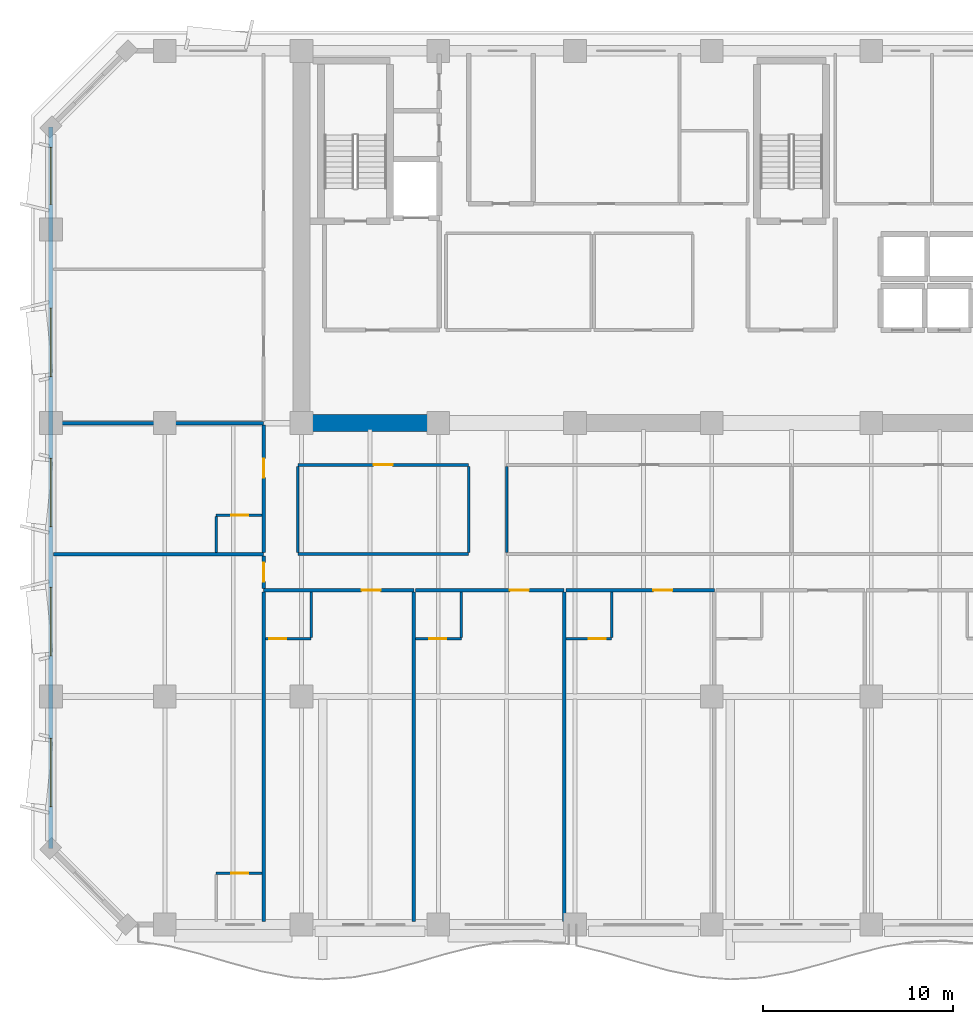
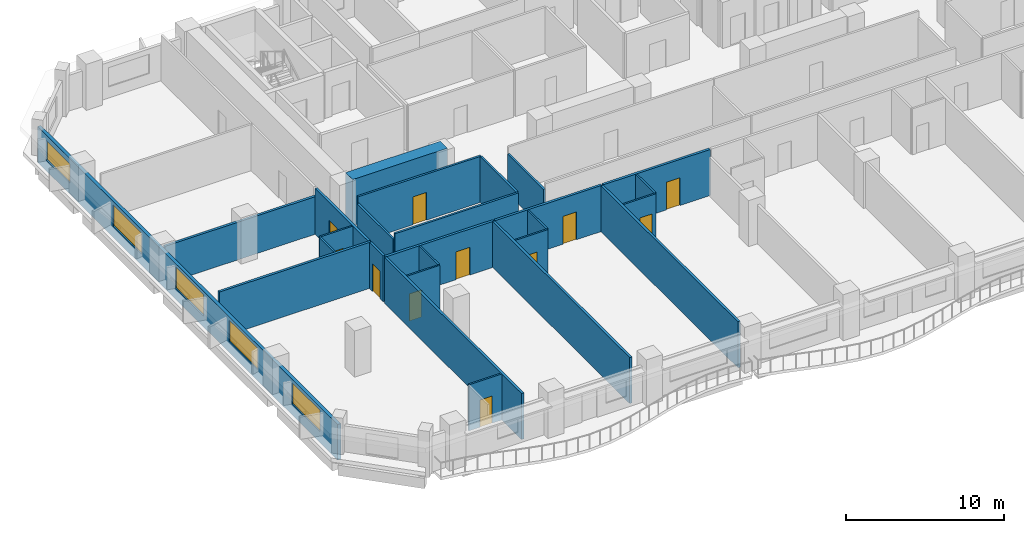
# One storey, part 4 of 15: 26 walls, 11 doors, 5 windows, 16 openings.
"""IFC4 building model written with IfcOpenShell, lengths in metres."""

from ifc_helpers import new_model, si_unit, direction, frame, frame_2d, origin, place, context, subcontext, project, spatial, rectangle, extrude, material, layer, layer_set, type_object, element, fill, save


model = new_model("IFC4")

# Units and contexts
model_context = context("Model", 3, precision=1e-05, world=origin(), true_north=direction((0.0, 1.0)))
body_context = subcontext(model_context, "Body", "Model", "MODEL_VIEW")
ifc_project = project(units=[si_unit("LENGTHUNIT", "METRE"), si_unit("AREAUNIT", "SQUARE_METRE"), si_unit("VOLUMEUNIT", "CUBIC_METRE"), si_unit("PLANEANGLEUNIT", "RADIAN"), si_unit("MASSUNIT", "GRAM", prefix="KILO")], contexts=[model_context])

# Site, building, storey
site_placement = place(None, origin())
site = spatial("IfcSite", under=ifc_project, at=site_placement, CompositionType="ELEMENT")
building_placement = place(site_placement, origin())
building = spatial("IfcBuilding", under=site, at=building_placement, Name="Kaelvorn Grand Hotel", CompositionType="ELEMENT")
storey_placement = place(building_placement, frame((0.0, 0.0, 173.35009765625)))
storey = spatial("IfcBuildingStorey", under=building, at=storey_placement, Name="L42", CompositionType="ELEMENT", Elevation=173.35009765625)

# Wall
ifc_material_1 = material(Name="Concrete C60/75", Category="concrete")
ifc_layer_1 = layer(ifc_material_1, 0.89990234375)
ifc_layer_set_1 = layer_set([ifc_layer_1], Name="Concrete C60/75")
wall_type_1 = type_object("IfcWallType", Name="WL-CORE-900-C60", PredefinedType="SHEAR", material=ifc_layer_set_1)
wall_1_placement = place(storey_placement, frame((16.655029296875, 29.39990234375, 0.0), z_axis=(0.0, 0.0, 1.0), x_axis=(1.0, 0.0, 0.0)))
element("IfcWall", 1, at=wall_1_placement, inside=storey, type_object=wall_type_1, Name="L42 Rear-Core Coupled Shear Pier S1", PredefinedType="SHEAR", context=body_context, shape_type="SweptSolid", body=[
    extrude(rectangle(XDim=6.945068359375, YDim=0.89990234375, at=frame_2d((3.47265625, 0.0))), origin(), (0.0, 0.0, 1.0), 3.559814453125),
])

# Wall, openings, windows
ifc_material_2 = material(Name="Concrete C40/50", Category="concrete")
ifc_layer_2 = layer(ifc_material_2, 0.239990234375)
ifc_layer_set_2 = layer_set([ifc_layer_2], Name="Concrete C40/50")
wall_type_2 = type_object("IfcWallType", Name="WL-EXT-240-C40", PredefinedType="SOLIDWALL", material=ifc_layer_set_2)
wall_2_placement = place(storey_placement, frame((3.0, 45.0, 0.0), z_axis=(0.0, 0.0, 1.0), x_axis=(0.0, -1.0, 0.0)))
wall_2 = element("IfcWall", 2, at=wall_2_placement, inside=storey, type_object=wall_type_2, Name="L42 Exterior Architectural Concrete Wall 07", PredefinedType="SOLIDWALL", context=body_context, shape_type="SweptSolid", body=[
    extrude(rectangle(XDim=38.0, YDim=0.239990234375, at=frame_2d((19.0, 0.0))), origin(), (0.0, 0.0, 1.0), 2.760009765625),
])
opening_1_placement = place(wall_2_placement, frame((32.199951171875, 0.0, 0.85009765625)))
opening_1 = element("IfcOpeningElement", 3, at=opening_1_placement, cuts=wall_2, Name="Opening W3", PredefinedType="OPENING", context=body_context, shape_type="SweptSolid", body=[
    extrude(rectangle(XDim=3.60009765625, YDim=1.64990234375, at=frame_2d((1.800048828125, 0.824951171875))), frame((0.0, 0.1298828125, 0.0), z_axis=(0.0, -1.0, 0.0), x_axis=(1.0, 0.0, 0.0)), (0.0, 0.0, 1.0), 0.260009765625),
])
opening_2_placement = place(wall_2_placement, frame((24.25, 0.0, 0.85009765625)))
opening_2 = element("IfcOpeningElement", 4, at=opening_2_placement, cuts=wall_2, Name="Opening W3", PredefinedType="OPENING", context=body_context, shape_type="SweptSolid", body=[
    extrude(rectangle(XDim=3.60009765625, YDim=1.64990234375, at=frame_2d((1.800048828125, 0.824951171875))), frame((0.0, 0.1298828125, 0.0), z_axis=(0.0, -1.0, 0.0), x_axis=(1.0, 0.0, 0.0)), (0.0, 0.0, 1.0), 0.260009765625),
])
opening_3_placement = place(wall_2_placement, frame((17.449951171875, 0.0, 0.85009765625)))
opening_3 = element("IfcOpeningElement", 5, at=opening_3_placement, cuts=wall_2, Name="Opening W3", PredefinedType="OPENING", context=body_context, shape_type="SweptSolid", body=[
    extrude(rectangle(XDim=3.60009765625, YDim=1.64990234375, at=frame_2d((1.800048828125, 0.824951171875))), frame((0.0, 0.1298828125, 0.0), z_axis=(0.0, -1.0, 0.0), x_axis=(1.0, 0.0, 0.0)), (0.0, 0.0, 1.0), 0.260009765625),
])
opening_4_placement = place(wall_2_placement, frame((9.550048828125, 0.0, 0.85009765625)))
opening_4 = element("IfcOpeningElement", 6, at=opening_4_placement, cuts=wall_2, Name="Opening W3", PredefinedType="OPENING", context=body_context, shape_type="SweptSolid", body=[
    extrude(rectangle(XDim=3.60009765625, YDim=1.64990234375, at=frame_2d((1.800048828125, 0.824951171875))), frame((0.0, 0.1298828125, 0.0), z_axis=(0.0, -1.0, 0.0), x_axis=(1.0, 0.0, 0.0)), (0.0, 0.0, 1.0), 0.260009765625),
])
opening_5_placement = place(wall_2_placement, frame((1.0849609375, 0.0, 0.85009765625)))
opening_5 = element("IfcOpeningElement", 7, at=opening_5_placement, cuts=wall_2, Name="Opening W5", PredefinedType="OPENING", context=body_context, shape_type="SweptSolid", body=[
    extrude(rectangle(XDim=3.0, YDim=1.5, at=frame_2d((1.5, 0.75))), frame((0.0, 0.1298828125, 0.0), z_axis=(0.0, -1.0, 0.0), x_axis=(1.0, 0.0, 0.0)), (0.0, 0.0, 1.0), 0.260009765625),
])
ifc_material_3 = material(Name="Laminated Low-E Glass", Category="glass")
window_type_1 = type_object("IfcWindowType", Name="WIN-NTH-3000x1500", PartitioningType="SINGLE_PANEL", PredefinedType="WINDOW", material=ifc_material_3)
window_1_placement = place(opening_5_placement, origin())
window_1 = element("IfcWindow", 8, at=window_1_placement, inside=storey, type_object=window_type_1, Name="L42 W Wing Tilted-Frame Ribbon Window W05", OverallHeight=1.5, OverallWidth=3.0, PartitioningType="SINGLE_PANEL", PredefinedType="WINDOW", context=body_context, shape_type="SweptSolid", body=[
    extrude(rectangle(XDim=3.0, YDim=1.5, at=frame_2d((1.5, 0.75))), frame((0.0, 0.030029296875, 0.0), z_axis=(0.0, -1.0, 0.0), x_axis=(1.0, 0.0, 0.0)), (0.0, 0.0, 1.0), 0.06005859375),
])
fill(opening_5, window_1)
window_type_2 = type_object("IfcWindowType", Name="WIN-RIB-3600x1750", PartitioningType="SINGLE_PANEL", PredefinedType="WINDOW", material=ifc_material_3)
window_2_placement = place(opening_1_placement, origin())
window_2 = element("IfcWindow", 9, at=window_2_placement, inside=storey, type_object=window_type_2, Name="L42 W Wing Tilted-Frame Ribbon Window W01", OverallHeight=1.64990234375, OverallWidth=3.60009765625, PartitioningType="SINGLE_PANEL", PredefinedType="WINDOW", context=body_context, shape_type="SweptSolid", body=[
    extrude(rectangle(XDim=3.60009765625, YDim=1.64990234375, at=frame_2d((1.800048828125, 0.824951171875))), frame((0.0, 0.030029296875, 0.0), z_axis=(0.0, -1.0, 0.0), x_axis=(1.0, 0.0, 0.0)), (0.0, 0.0, 1.0), 0.06005859375),
])
fill(opening_1, window_2)
window_3_placement = place(opening_2_placement, origin())
window_3 = element("IfcWindow", 10, at=window_3_placement, inside=storey, type_object=window_type_2, Name="L42 W Wing Tilted-Frame Ribbon Window W02", OverallHeight=1.64990234375, OverallWidth=3.60009765625, PartitioningType="SINGLE_PANEL", PredefinedType="WINDOW", context=body_context, shape_type="SweptSolid", body=[
    extrude(rectangle(XDim=3.60009765625, YDim=1.64990234375, at=frame_2d((1.800048828125, 0.824951171875))), frame((0.0, 0.030029296875, 0.0), z_axis=(0.0, -1.0, 0.0), x_axis=(1.0, 0.0, 0.0)), (0.0, 0.0, 1.0), 0.06005859375),
])
fill(opening_2, window_3)
window_4_placement = place(opening_3_placement, origin())
window_4 = element("IfcWindow", 11, at=window_4_placement, inside=storey, type_object=window_type_2, Name="L42 W Wing Tilted-Frame Ribbon Window W03", OverallHeight=1.64990234375, OverallWidth=3.60009765625, PartitioningType="SINGLE_PANEL", PredefinedType="WINDOW", context=body_context, shape_type="SweptSolid", body=[
    extrude(rectangle(XDim=3.60009765625, YDim=1.64990234375, at=frame_2d((1.800048828125, 0.824951171875))), frame((0.0, 0.030029296875, 0.0), z_axis=(0.0, -1.0, 0.0), x_axis=(1.0, 0.0, 0.0)), (0.0, 0.0, 1.0), 0.06005859375),
])
fill(opening_3, window_4)
window_5_placement = place(opening_4_placement, origin())
window_5 = element("IfcWindow", 12, at=window_5_placement, inside=storey, type_object=window_type_2, Name="L42 W Wing Tilted-Frame Ribbon Window W04", OverallHeight=1.64990234375, OverallWidth=3.60009765625, PartitioningType="SINGLE_PANEL", PredefinedType="WINDOW", context=body_context, shape_type="SweptSolid", body=[
    extrude(rectangle(XDim=3.60009765625, YDim=1.64990234375, at=frame_2d((1.800048828125, 0.824951171875))), frame((0.0, 0.030029296875, 0.0), z_axis=(0.0, -1.0, 0.0), x_axis=(1.0, 0.0, 0.0)), (0.0, 0.0, 1.0), 0.06005859375),
])
fill(opening_4, window_5)

# Wall, opening, door
ifc_material_4 = material(Name="Moisture-Resistant Tile & Stud Board")
ifc_layer_3 = layer(ifc_material_4, 0.125)
ifc_layer_set_3 = layer_set([ifc_layer_3], Name="Moisture-Resistant Tile & Stud Board")
wall_type_3 = type_object("IfcWallType", Name="WL-PART-125-WET", PredefinedType="PARTITIONING", material=ifc_layer_set_3)
wall_3_placement = place(storey_placement, frame((14.294921875, 18.050048828125, 0.0), z_axis=(0.0, 0.0, 1.0), x_axis=(1.0, 0.0, 0.0)))
wall_3 = element("IfcWall", 13, at=wall_3_placement, inside=storey, type_object=wall_type_3, Name="L42 En-suite Bathroom L42-01 S Partition", PredefinedType="PARTITIONING", context=body_context, shape_type="SweptSolid", body=[
    extrude(rectangle(XDim=2.405029296875, YDim=0.125, at=frame_2d((1.20263671875, 0.0))), origin(), (0.0, 0.0, 1.0), 3.559814453125),
])
opening_6_placement = place(wall_3_placement, frame((0.205078125, 0.0, 0.0)))
opening_6 = element("IfcOpeningElement", 14, at=opening_6_placement, cuts=wall_3, Name="Opening DI4", PredefinedType="OPENING", context=body_context, shape_type="SweptSolid", body=[
    extrude(rectangle(XDim=0.89990234375, YDim=2.10009765625, at=frame_2d((0.449951171875, 1.050048828125))), frame((0.0, 0.072509765625, 0.0), z_axis=(0.0, -1.0, 0.0), x_axis=(1.0, 0.0, 0.0)), (0.0, 0.0, 1.0), 0.14501953125),
])
ifc_material_5 = material(Name="Timber Veneer Leaf", Category="wood")
door_type_1 = type_object("IfcDoorType", Name="DR-INT-BATH-900x2100", OperationType="NOTDEFINED", PredefinedType="DOOR", material=ifc_material_5)
door_1_placement = place(opening_6_placement, origin())
door_1 = element("IfcDoor", 15, at=door_1_placement, inside=storey, type_object=door_type_1, Name="L42 En-suite Bathroom L42-01 Door", OperationType="SINGLE_SWING_RIGHT", OverallHeight=2.10009765625, OverallWidth=0.89990234375, PredefinedType="DOOR", context=body_context, shape_type="SweptSolid", body=[
    extrude(rectangle(XDim=0.89990234375, YDim=2.10009765625, at=frame_2d((0.449951171875, 1.050048828125))), frame((0.0, 0.02490234375, 0.0), z_axis=(0.0, -1.0, 0.0), x_axis=(1.0, 0.0, 0.0)), (0.0, 0.0, 1.0), 0.050048828125),
])
fill(opening_6, door_1)

# Wall
wall_4_placement = place(storey_placement, frame((16.699951171875, 18.117431640625, 0.0), z_axis=(0.0, 0.0, 1.0), x_axis=(0.0, 1.0, 0.0)))
element("IfcWall", 16, at=wall_4_placement, inside=storey, type_object=wall_type_3, Name="L42 En-suite Bathroom L42-01 E Partition", PredefinedType="PARTITIONING", context=body_context, shape_type="SweptSolid", body=[
    extrude(rectangle(XDim=2.387451171875, YDim=0.125, at=frame_2d((1.19384765625, 0.0))), origin(), (0.0, 0.0, 1.0), 3.559814453125),
])

# Wall, opening, door
wall_5_placement = place(storey_placement, frame((22.207275390625, 18.050048828125, 0.0), z_axis=(0.0, 0.0, 1.0), x_axis=(1.0, 0.0, 0.0)))
wall_5 = element("IfcWall", 17, at=wall_5_placement, inside=storey, type_object=wall_type_3, Name="L42 En-suite Bathroom L42-02 S Partition", PredefinedType="PARTITIONING", context=body_context, shape_type="SweptSolid", body=[
    extrude(rectangle(XDim=2.405029296875, YDim=0.125, at=frame_2d((1.20263671875, 0.0))), origin(), (0.0, 0.0, 1.0), 3.559814453125),
])
opening_7_placement = place(wall_5_placement, frame((0.705078125, 0.0, 0.0)))
opening_7 = element("IfcOpeningElement", 18, at=opening_7_placement, cuts=wall_5, Name="Opening DI4", PredefinedType="OPENING", context=body_context, shape_type="SweptSolid", body=[
    extrude(rectangle(XDim=0.89990234375, YDim=2.10009765625, at=frame_2d((0.449951171875, 1.050048828125))), frame((0.0, 0.072509765625, 0.0), z_axis=(0.0, -1.0, 0.0), x_axis=(1.0, 0.0, 0.0)), (0.0, 0.0, 1.0), 0.14501953125),
])
door_2_placement = place(opening_7_placement, origin())
door_2 = element("IfcDoor", 19, at=door_2_placement, inside=storey, type_object=door_type_1, Name="L42 En-suite Bathroom L42-02 Door", OperationType="SINGLE_SWING_RIGHT", OverallHeight=2.10009765625, OverallWidth=0.89990234375, PredefinedType="DOOR", context=body_context, shape_type="SweptSolid", body=[
    extrude(rectangle(XDim=0.89990234375, YDim=2.10009765625, at=frame_2d((0.449951171875, 1.050048828125))), frame((0.0, 0.02490234375, 0.0), z_axis=(0.0, -1.0, 0.0), x_axis=(1.0, 0.0, 0.0)), (0.0, 0.0, 1.0), 0.050048828125),
])
fill(opening_7, door_2)

# Wall
wall_6_placement = place(storey_placement, frame((24.6123046875, 18.117431640625, 0.0), z_axis=(0.0, 0.0, 1.0), x_axis=(0.0, 1.0, 0.0)))
element("IfcWall", 20, at=wall_6_placement, inside=storey, type_object=wall_type_3, Name="L42 En-suite Bathroom L42-02 E Partition", PredefinedType="PARTITIONING", context=body_context, shape_type="SweptSolid", body=[
    extrude(rectangle(XDim=2.387451171875, YDim=0.125, at=frame_2d((1.19384765625, 0.0))), origin(), (0.0, 0.0, 1.0), 3.559814453125),
])

# Wall, opening, door
wall_7_placement = place(storey_placement, frame((30.11962890625, 18.050048828125, 0.0), z_axis=(0.0, 0.0, 1.0), x_axis=(1.0, 0.0, 0.0)))
wall_7 = element("IfcWall", 21, at=wall_7_placement, inside=storey, type_object=wall_type_3, Name="L42 En-suite Bathroom L42-03 S Partition", PredefinedType="PARTITIONING", context=body_context, shape_type="SweptSolid", body=[
    extrude(rectangle(XDim=2.405029296875, YDim=0.125, at=frame_2d((1.20263671875, 0.0))), origin(), (0.0, 0.0, 1.0), 3.559814453125),
])
opening_8_placement = place(wall_7_placement, frame((1.205078125, 0.0, 0.0)))
opening_8 = element("IfcOpeningElement", 22, at=opening_8_placement, cuts=wall_7, Name="Opening DI4", PredefinedType="OPENING", context=body_context, shape_type="SweptSolid", body=[
    extrude(rectangle(XDim=0.89990234375, YDim=2.10009765625, at=frame_2d((0.449951171875, 1.050048828125))), frame((0.0, 0.072509765625, 0.0), z_axis=(0.0, -1.0, 0.0), x_axis=(1.0, 0.0, 0.0)), (0.0, 0.0, 1.0), 0.14501953125),
])
door_3_placement = place(opening_8_placement, origin())
door_3 = element("IfcDoor", 23, at=door_3_placement, inside=storey, type_object=door_type_1, Name="L42 En-suite Bathroom L42-03 Door", OperationType="SINGLE_SWING_RIGHT", OverallHeight=2.10009765625, OverallWidth=0.89990234375, PredefinedType="DOOR", context=body_context, shape_type="SweptSolid", body=[
    extrude(rectangle(XDim=0.89990234375, YDim=2.10009765625, at=frame_2d((0.449951171875, 1.050048828125))), frame((0.0, 0.02490234375, 0.0), z_axis=(0.0, -1.0, 0.0), x_axis=(1.0, 0.0, 0.0)), (0.0, 0.0, 1.0), 0.050048828125),
])
fill(opening_8, door_3)

# Wall
wall_8_placement = place(storey_placement, frame((32.524658203125, 18.117431640625, 0.0), z_axis=(0.0, 0.0, 1.0), x_axis=(0.0, 1.0, 0.0)))
element("IfcWall", 24, at=wall_8_placement, inside=storey, type_object=wall_type_3, Name="L42 En-suite Bathroom L42-03 E Partition", PredefinedType="PARTITIONING", context=body_context, shape_type="SweptSolid", body=[
    extrude(rectangle(XDim=2.387451171875, YDim=0.125, at=frame_2d((1.19384765625, 0.0))), origin(), (0.0, 0.0, 1.0), 3.559814453125),
])

# Wall, opening, door
wall_9_placement = place(storey_placement, frame((11.699951171875, 5.699951171875, 0.0), z_axis=(0.0, 0.0, 1.0), x_axis=(1.0, 0.0, 0.0)))
wall_9 = element("IfcWall", 25, at=wall_9_placement, inside=storey, type_object=wall_type_3, Name="L42 En-suite Bathroom L42-08 N Partition", PredefinedType="PARTITIONING", context=body_context, shape_type="SweptSolid", body=[
    extrude(rectangle(XDim=2.405029296875, YDim=0.125, at=frame_2d((1.20263671875, 0.0))), origin(), (0.0, 0.0, 1.0), 3.559814453125),
])
opening_9_placement = place(wall_9_placement, frame((0.800048828125, 0.0, 0.0)))
opening_9 = element("IfcOpeningElement", 26, at=opening_9_placement, cuts=wall_9, Name="Opening DI4", PredefinedType="OPENING", context=body_context, shape_type="SweptSolid", body=[
    extrude(rectangle(XDim=0.89990234375, YDim=2.10009765625, at=frame_2d((0.449951171875, 1.050048828125))), frame((0.0, 0.072509765625, 0.0), z_axis=(0.0, -1.0, 0.0), x_axis=(1.0, 0.0, 0.0)), (0.0, 0.0, 1.0), 0.14501953125),
])
door_4_placement = place(opening_9_placement, origin())
door_4 = element("IfcDoor", 27, at=door_4_placement, inside=storey, type_object=door_type_1, Name="L42 En-suite Bathroom L42-08 Door", OperationType="SINGLE_SWING_RIGHT", OverallHeight=2.10009765625, OverallWidth=0.89990234375, PredefinedType="DOOR", context=body_context, shape_type="SweptSolid", body=[
    extrude(rectangle(XDim=0.89990234375, YDim=2.10009765625, at=frame_2d((0.449951171875, 1.050048828125))), frame((0.0, 0.02490234375, 0.0), z_axis=(0.0, -1.0, 0.0), x_axis=(1.0, 0.0, 0.0)), (0.0, 0.0, 1.0), 0.050048828125),
])
fill(opening_9, door_4)

wall_10_placement = place(storey_placement, frame((11.699951171875, 24.550048828125, 0.0), z_axis=(0.0, 0.0, 1.0), x_axis=(1.0, 0.0, 0.0)))
wall_10 = element("IfcWall", 28, at=wall_10_placement, inside=storey, type_object=wall_type_3, Name="L42 En-suite Bathroom L42-09 N Partition", PredefinedType="PARTITIONING", context=body_context, shape_type="SweptSolid", body=[
    extrude(rectangle(XDim=2.405029296875, YDim=0.125, at=frame_2d((1.20263671875, 0.0))), origin(), (0.0, 0.0, 1.0), 3.559814453125),
])
opening_10_placement = place(wall_10_placement, frame((0.800048828125, 0.0, 0.0)))
opening_10 = element("IfcOpeningElement", 29, at=opening_10_placement, cuts=wall_10, Name="Opening DI4", PredefinedType="OPENING", context=body_context, shape_type="SweptSolid", body=[
    extrude(rectangle(XDim=0.89990234375, YDim=2.10009765625, at=frame_2d((0.449951171875, 1.050048828125))), frame((0.0, 0.072509765625, 0.0), z_axis=(0.0, -1.0, 0.0), x_axis=(1.0, 0.0, 0.0)), (0.0, 0.0, 1.0), 0.14501953125),
])
door_5_placement = place(opening_10_placement, origin())
door_5 = element("IfcDoor", 30, at=door_5_placement, inside=storey, type_object=door_type_1, Name="L42 En-suite Bathroom L42-09 Door", OperationType="SINGLE_SWING_RIGHT", OverallHeight=2.10009765625, OverallWidth=0.89990234375, PredefinedType="DOOR", context=body_context, shape_type="SweptSolid", body=[
    extrude(rectangle(XDim=0.89990234375, YDim=2.10009765625, at=frame_2d((0.449951171875, 1.050048828125))), frame((0.0, 0.02490234375, 0.0), z_axis=(0.0, -1.0, 0.0), x_axis=(1.0, 0.0, 0.0)), (0.0, 0.0, 1.0), 0.050048828125),
])
fill(opening_10, door_5)

# Walls
wall_11_placement = place(storey_placement, frame((11.699951171875, 22.594970703125, 0.0), z_axis=(0.0, 0.0, 1.0), x_axis=(0.0, 1.0, 0.0)))
element("IfcWall", 31, at=wall_11_placement, inside=storey, type_object=wall_type_3, Name="L42 En-suite Bathroom L42-09 W Partition", PredefinedType="PARTITIONING", context=body_context, shape_type="SweptSolid", body=[
    extrude(rectangle(XDim=1.887451171875, YDim=0.125, at=frame_2d((0.94384765625, 0.0))), origin(), (0.0, 0.0, 1.0), 3.559814453125),
])
ifc_material_6 = material(Name="Acoustic Gypsum & Stud Partition")
ifc_layer_4 = layer(ifc_material_6, 0.14990234375)
ifc_layer_set_4 = layer_set([ifc_layer_4], Name="Acoustic Gypsum & Stud Partition")
wall_type_4 = type_object("IfcWallType", Name="WL-PART-150-EI60", PredefinedType="PARTITIONING", material=ifc_layer_set_4)
wall_12_placement = place(storey_placement, frame((16.0, 22.5, 0.0), z_axis=(0.0, 0.0, 1.0), x_axis=(1.0, 0.0, 0.0)))
element("IfcWall", 32, at=wall_12_placement, inside=storey, type_object=wall_type_4, Name="L42 Private Cinema Lounge S Partition", PredefinedType="PARTITIONING", context=body_context, shape_type="SweptSolid", body=[
    extrude(rectangle(XDim=9.0, YDim=0.14990234375, at=frame_2d((4.5, 0.0))), origin(), (0.0, 0.0, 1.0), 3.559814453125),
])

# Wall, opening, door
wall_13_placement = place(storey_placement, frame((16.0, 27.199951171875, 0.0), z_axis=(0.0, 0.0, 1.0), x_axis=(1.0, 0.0, 0.0)))
wall_13 = element("IfcWall", 33, at=wall_13_placement, inside=storey, type_object=wall_type_4, Name="L42 Private Cinema Lounge N Partition", PredefinedType="PARTITIONING", context=body_context, shape_type="SweptSolid", body=[
    extrude(rectangle(XDim=9.0, YDim=0.14990234375, at=frame_2d((4.5, 0.0))), origin(), (0.0, 0.0, 1.0), 3.559814453125),
])
opening_11_placement = place(wall_13_placement, frame((4.0, 0.0, 0.0)))
opening_11 = element("IfcOpeningElement", 34, at=opening_11_placement, cuts=wall_13, Name="Opening DI3", PredefinedType="OPENING", context=body_context, shape_type="SweptSolid", body=[
    extrude(rectangle(XDim=1.0, YDim=2.14990234375, at=frame_2d((0.5, 1.074951171875))), frame((0.0, 0.0849609375, 0.0), z_axis=(0.0, -1.0, 0.0), x_axis=(1.0, 0.0, 0.0)), (0.0, 0.0, 1.0), 0.169921875),
])
ifc_material_7 = material(Name="Timber Veneer Fire Leaf", Category="wood")
door_type_2 = type_object("IfcDoorType", Name="DR-INT-GUEST-1000x2150", OperationType="NOTDEFINED", PredefinedType="DOOR", material=ifc_material_7)
door_6_placement = place(opening_11_placement, origin())
door_6 = element("IfcDoor", 35, at=door_6_placement, inside=storey, type_object=door_type_2, Name="L42 Private Cinema Lounge Door", OperationType="SINGLE_SWING_LEFT", OverallHeight=2.14990234375, OverallWidth=1.0, PredefinedType="DOOR", context=body_context, shape_type="SweptSolid", body=[
    extrude(rectangle(XDim=1.0, YDim=2.14990234375, at=frame_2d((0.5, 1.074951171875))), frame((0.0, 0.02490234375, 0.0), z_axis=(0.0, -1.0, 0.0), x_axis=(1.0, 0.0, 0.0)), (0.0, 0.0, 1.0), 0.050048828125),
])
fill(opening_11, door_6)

# Walls
wall_14_placement = place(storey_placement, frame((16.0, 22.580078125, 0.0), z_axis=(0.0, 0.0, 1.0), x_axis=(0.0, 1.0, 0.0)))
element("IfcWall", 36, at=wall_14_placement, inside=storey, type_object=wall_type_4, Name="L42 Private Cinema Lounge W Partition", PredefinedType="PARTITIONING", context=body_context, shape_type="SweptSolid", body=[
    extrude(rectangle(XDim=4.5400390625, YDim=0.14990234375, at=frame_2d((2.27001953125, 0.0))), origin(), (0.0, 0.0, 1.0), 3.059814453125),
])
wall_15_placement = place(storey_placement, frame((25.0, 22.580078125, 0.0), z_axis=(0.0, 0.0, 1.0), x_axis=(0.0, 1.0, 0.0)))
element("IfcWall", 37, at=wall_15_placement, inside=storey, type_object=wall_type_4, Name="L42 Private Cinema Lounge E Partition", PredefinedType="PARTITIONING", context=body_context, shape_type="SweptSolid", body=[
    extrude(rectangle(XDim=4.5400390625, YDim=0.14990234375, at=frame_2d((2.27001953125, 0.0))), origin(), (0.0, 0.0, 1.0), 3.559814453125),
])
wall_16_placement = place(storey_placement, frame((27.0, 22.580078125, 0.0), z_axis=(0.0, 0.0, 1.0), x_axis=(0.0, 1.0, 0.0)))
element("IfcWall", 38, at=wall_16_placement, inside=storey, type_object=wall_type_4, Name="L42 Sommelier Wine Bar W Partition", PredefinedType="PARTITIONING", context=body_context, shape_type="SweptSolid", body=[
    extrude(rectangle(XDim=4.5400390625, YDim=0.14990234375, at=frame_2d((2.27001953125, 0.0))), origin(), (0.0, 0.0, 1.0), 3.059814453125),
])

# Wall, opening, door
ifc_layer_5 = layer(ifc_material_6, 0.179931640625)
ifc_layer_set_5 = layer_set([ifc_layer_5], Name="Acoustic Gypsum & Stud Partition")
wall_type_5 = type_object("IfcWallType", Name="WL-PART-180-EI60", PredefinedType="PARTITIONING", material=ifc_layer_set_5)
wall_17_placement = place(storey_placement, frame((14.199951171875, 20.60009765625, 0.0), z_axis=(0.0, 0.0, 1.0), x_axis=(1.0, 0.0, 0.0)))
wall_17 = element("IfcWall", 39, at=wall_17_placement, inside=storey, type_object=wall_type_5, Name="L42 Mid-Rise Signature Suite L42-01 N Partition", PredefinedType="PARTITIONING", context=body_context, shape_type="SweptSolid", body=[
    extrude(rectangle(XDim=7.912353515625, YDim=0.179931640625, at=frame_2d((3.9560546875, 0.0))), origin(), (0.0, 0.0, 1.0), 3.559814453125),
])
opening_12_placement = place(wall_17_placement, frame((5.156005859375, 0.0, 0.0)))
opening_12 = element("IfcOpeningElement", 40, at=opening_12_placement, cuts=wall_17, Name="Opening DI3", PredefinedType="OPENING", context=body_context, shape_type="SweptSolid", body=[
    extrude(rectangle(XDim=1.0, YDim=2.14990234375, at=frame_2d((0.5, 1.074951171875))), frame((0.0, 0.10009765625, 0.0), z_axis=(0.0, -1.0, 0.0), x_axis=(1.0, 0.0, 0.0)), (0.0, 0.0, 1.0), 0.199951171875),
])
door_7_placement = place(opening_12_placement, origin())
door_7 = element("IfcDoor", 41, at=door_7_placement, inside=storey, type_object=door_type_2, Name="L42 Mid-Rise Signature Suite L42-01 Door", OperationType="SINGLE_SWING_LEFT", OverallHeight=2.14990234375, OverallWidth=1.0, PredefinedType="DOOR", context=body_context, shape_type="SweptSolid", body=[
    extrude(rectangle(XDim=1.0, YDim=2.14990234375, at=frame_2d((0.5, 1.074951171875))), frame((0.0, 0.02490234375, 0.0), z_axis=(0.0, -1.0, 0.0), x_axis=(1.0, 0.0, 0.0)), (0.0, 0.0, 1.0), 0.050048828125),
])
fill(opening_12, door_7)

# Walls
for number, where, z_axis, x_axis, name in (
    (42, (14.199951171875, 3.14990234375, 0.0), (0.0, 0.0, 1.0), (0.0, 1.0, 0.0), "L42 Mid-Rise Signature Suite L42-01 W Partition"),
    (43, (22.1123046875, 3.14990234375, 0.0), (0.0, 0.0, 1.0), (0.0, 1.0, 0.0), "L42 Mid-Rise Signature Suite L42-01 E Partition"),
):
    element("IfcWall", number, at=place(storey_placement, frame(where, z_axis=z_axis, x_axis=x_axis)), inside=storey, type_object=wall_type_5, Name=name, PredefinedType="PARTITIONING", context=body_context, shape_type="SweptSolid", body=[
        extrude(rectangle(XDim=17.35498046875, YDim=0.179931640625, at=frame_2d((8.677490234375, 0.0))), origin(), (0.0, 0.0, 1.0), 3.559814453125),
    ])

# Wall, opening, door
wall_18_placement = place(storey_placement, frame((22.207275390625, 20.60009765625, 0.0), z_axis=(0.0, 0.0, 1.0), x_axis=(1.0, 0.0, 0.0)))
wall_18 = element("IfcWall", 44, at=wall_18_placement, inside=storey, type_object=wall_type_5, Name="L42 Mid-Rise Signature Suite L42-02 N Partition", PredefinedType="PARTITIONING", context=body_context, shape_type="SweptSolid", body=[
    extrude(rectangle(XDim=7.8173828125, YDim=0.179931640625, at=frame_2d((3.90869140625, 0.0))), origin(), (0.0, 0.0, 1.0), 3.559814453125),
])
opening_13_placement = place(wall_18_placement, frame((4.958984375, 0.0, 0.0)))
opening_13 = element("IfcOpeningElement", 45, at=opening_13_placement, cuts=wall_18, Name="Opening DI3", PredefinedType="OPENING", context=body_context, shape_type="SweptSolid", body=[
    extrude(rectangle(XDim=1.0, YDim=2.14990234375, at=frame_2d((0.5, 1.074951171875))), frame((0.0, 0.10009765625, 0.0), z_axis=(0.0, -1.0, 0.0), x_axis=(1.0, 0.0, 0.0)), (0.0, 0.0, 1.0), 0.199951171875),
])
door_8_placement = place(opening_13_placement, origin())
door_8 = element("IfcDoor", 46, at=door_8_placement, inside=storey, type_object=door_type_2, Name="L42 Mid-Rise Signature Suite L42-02 Door", OperationType="SINGLE_SWING_LEFT", OverallHeight=2.14990234375, OverallWidth=1.0, PredefinedType="DOOR", context=body_context, shape_type="SweptSolid", body=[
    extrude(rectangle(XDim=1.0, YDim=2.14990234375, at=frame_2d((0.5, 1.074951171875))), frame((0.0, 0.02490234375, 0.0), z_axis=(0.0, -1.0, 0.0), x_axis=(1.0, 0.0, 0.0)), (0.0, 0.0, 1.0), 0.050048828125),
])
fill(opening_13, door_8)

# Wall
wall_19_placement = place(storey_placement, frame((30.024658203125, 3.14990234375, 0.0), z_axis=(0.0, 0.0, 1.0), x_axis=(0.0, 1.0, 0.0)))
element("IfcWall", 47, at=wall_19_placement, inside=storey, type_object=wall_type_5, Name="L42 Mid-Rise Signature Suite L42-02 E Partition", PredefinedType="PARTITIONING", context=body_context, shape_type="SweptSolid", body=[
    extrude(rectangle(XDim=17.35498046875, YDim=0.179931640625, at=frame_2d((8.677490234375, 0.0))), origin(), (0.0, 0.0, 1.0), 3.559814453125),
])

# Wall, opening, door
wall_20_placement = place(storey_placement, frame((30.11962890625, 20.60009765625, 0.0), z_axis=(0.0, 0.0, 1.0), x_axis=(1.0, 0.0, 0.0)))
wall_20 = element("IfcWall", 48, at=wall_20_placement, inside=storey, type_object=wall_type_5, Name="L42 Mid-Rise Signature Suite L42-03 N Partition", PredefinedType="PARTITIONING", context=body_context, shape_type="SweptSolid", body=[
    extrude(rectangle(XDim=7.8173828125, YDim=0.179931640625, at=frame_2d((3.90869140625, 0.0))), origin(), (0.0, 0.0, 1.0), 3.559814453125),
])
opening_14_placement = place(wall_20_placement, frame((4.602783203125, 0.0, 0.0)))
opening_14 = element("IfcOpeningElement", 49, at=opening_14_placement, cuts=wall_20, Name="Opening DI3", PredefinedType="OPENING", context=body_context, shape_type="SweptSolid", body=[
    extrude(rectangle(XDim=1.0, YDim=2.14990234375, at=frame_2d((0.5, 1.074951171875))), frame((0.0, 0.10009765625, 0.0), z_axis=(0.0, -1.0, 0.0), x_axis=(1.0, 0.0, 0.0)), (0.0, 0.0, 1.0), 0.199951171875),
])
door_9_placement = place(opening_14_placement, origin())
door_9 = element("IfcDoor", 50, at=door_9_placement, inside=storey, type_object=door_type_2, Name="L42 Mid-Rise Signature Suite L42-03 Door", OperationType="SINGLE_SWING_LEFT", OverallHeight=2.14990234375, OverallWidth=1.0, PredefinedType="DOOR", context=body_context, shape_type="SweptSolid", body=[
    extrude(rectangle(XDim=1.0, YDim=2.14990234375, at=frame_2d((0.5, 1.074951171875))), frame((0.0, 0.02490234375, 0.0), z_axis=(0.0, -1.0, 0.0), x_axis=(1.0, 0.0, 0.0)), (0.0, 0.0, 1.0), 0.050048828125),
])
fill(opening_14, door_9)

# Wall
wall_21_placement = place(storey_placement, frame((3.14990234375, 22.5, 0.0), z_axis=(0.0, 0.0, 1.0), x_axis=(1.0, 0.0, 0.0)))
element("IfcWall", 51, at=wall_21_placement, inside=storey, type_object=wall_type_5, Name="L42 South-West Chamfer Suite L42-08 N Partition", PredefinedType="PARTITIONING", context=body_context, shape_type="SweptSolid", body=[
    extrude(rectangle(XDim=11.050048828125, YDim=0.179931640625, at=frame_2d((5.52490234375, 0.0))), origin(), (0.0, 0.0, 1.0), 3.559814453125),
])

# Wall, opening, door
wall_22_placement = place(storey_placement, frame((14.199951171875, 20.695068359375, 0.0), z_axis=(0.0, 0.0, 1.0), x_axis=(0.0, 1.0, 0.0)))
wall_22 = element("IfcWall", 52, at=wall_22_placement, inside=storey, type_object=wall_type_5, Name="L42 South-West Chamfer Suite L42-08 E Partition", PredefinedType="PARTITIONING", context=body_context, shape_type="SweptSolid", body=[
    extrude(rectangle(XDim=1.7099609375, YDim=0.179931640625, at=frame_2d((0.85498046875, 0.0))), origin(), (0.0, 0.0, 1.0), 3.559814453125),
])
opening_15_placement = place(wall_22_placement, frame((0.35498046875, 0.0, 0.0)))
opening_15 = element("IfcOpeningElement", 53, at=opening_15_placement, cuts=wall_22, Name="Opening DI3", PredefinedType="OPENING", context=body_context, shape_type="SweptSolid", body=[
    extrude(rectangle(XDim=1.0, YDim=2.14990234375, at=frame_2d((0.5, 1.074951171875))), frame((0.0, 0.10009765625, 0.0), z_axis=(0.0, -1.0, 0.0), x_axis=(1.0, 0.0, 0.0)), (0.0, 0.0, 1.0), 0.199951171875),
])
door_10_placement = place(opening_15_placement, origin())
door_10 = element("IfcDoor", 54, at=door_10_placement, inside=storey, type_object=door_type_2, Name="L42 South-West Chamfer Suite L42-08 Door", OperationType="SINGLE_SWING_LEFT", OverallHeight=2.14990234375, OverallWidth=1.0, PredefinedType="DOOR", context=body_context, shape_type="SweptSolid", body=[
    extrude(rectangle(XDim=1.0, YDim=2.14990234375, at=frame_2d((0.5, 1.074951171875))), frame((0.0, 0.02490234375, 0.0), z_axis=(0.0, -1.0, 0.0), x_axis=(1.0, 0.0, 0.0)), (0.0, 0.0, 1.0), 0.050048828125),
])
fill(opening_15, door_10)

# Wall
wall_23_placement = place(storey_placement, frame((3.14990234375, 29.39990234375, 0.0), z_axis=(0.0, 0.0, 1.0), x_axis=(1.0, 0.0, 0.0)))
element("IfcWall", 55, at=wall_23_placement, inside=storey, type_object=wall_type_5, Name="L42 West End Panoramic Suite L42-09 N Partition", PredefinedType="PARTITIONING", context=body_context, shape_type="SweptSolid", body=[
    extrude(rectangle(XDim=11.050048828125, YDim=0.179931640625, at=frame_2d((5.52490234375, 0.0))), origin(), (0.0, 0.0, 1.0), 2.909912109375),
])

# Wall, opening, door
wall_24_placement = place(storey_placement, frame((14.199951171875, 22.594970703125, 0.0), z_axis=(0.0, 0.0, 1.0), x_axis=(0.0, 1.0, 0.0)))
wall_24 = element("IfcWall", 56, at=wall_24_placement, inside=storey, type_object=wall_type_5, Name="L42 West End Panoramic Suite L42-09 E Partition", PredefinedType="PARTITIONING", context=body_context, shape_type="SweptSolid", body=[
    extrude(rectangle(XDim=6.7099609375, YDim=0.179931640625, at=frame_2d((3.35498046875, 0.0))), origin(), (0.0, 0.0, 1.0), 3.559814453125),
])
opening_16_placement = place(wall_24_placement, frame((3.93994140625, 0.0, 0.0)))
opening_16 = element("IfcOpeningElement", 57, at=opening_16_placement, cuts=wall_24, Name="Opening DI3", PredefinedType="OPENING", context=body_context, shape_type="SweptSolid", body=[
    extrude(rectangle(XDim=1.0, YDim=2.14990234375, at=frame_2d((0.5, 1.074951171875))), frame((0.0, 0.10009765625, 0.0), z_axis=(0.0, -1.0, 0.0), x_axis=(1.0, 0.0, 0.0)), (0.0, 0.0, 1.0), 0.199951171875),
])
door_11_placement = place(opening_16_placement, origin())
door_11 = element("IfcDoor", 58, at=door_11_placement, inside=storey, type_object=door_type_2, Name="L42 West End Panoramic Suite L42-09 Door", OperationType="SINGLE_SWING_LEFT", OverallHeight=2.14990234375, OverallWidth=1.0, PredefinedType="DOOR", context=body_context, shape_type="SweptSolid", body=[
    extrude(rectangle(XDim=1.0, YDim=2.14990234375, at=frame_2d((0.5, 1.074951171875))), frame((0.0, 0.02490234375, 0.0), z_axis=(0.0, -1.0, 0.0), x_axis=(1.0, 0.0, 0.0)), (0.0, 0.0, 1.0), 0.050048828125),
])
fill(opening_16, door_11)

save(model, "model.ifc")
